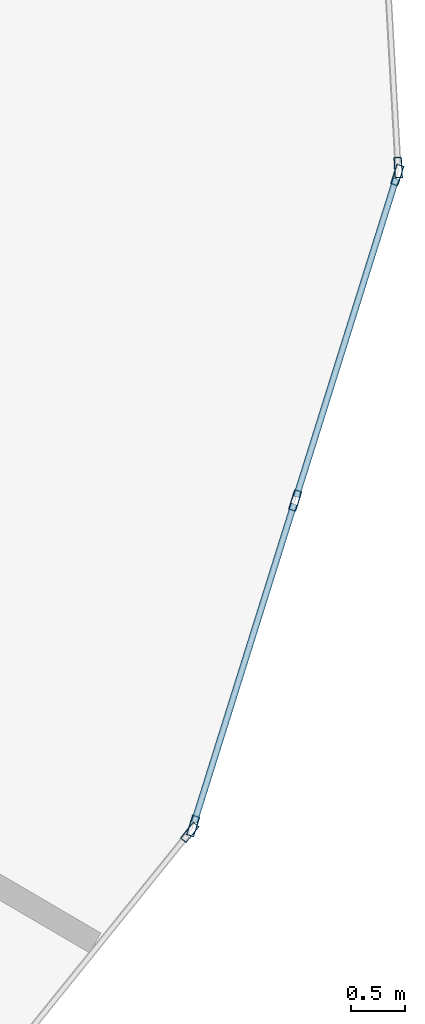
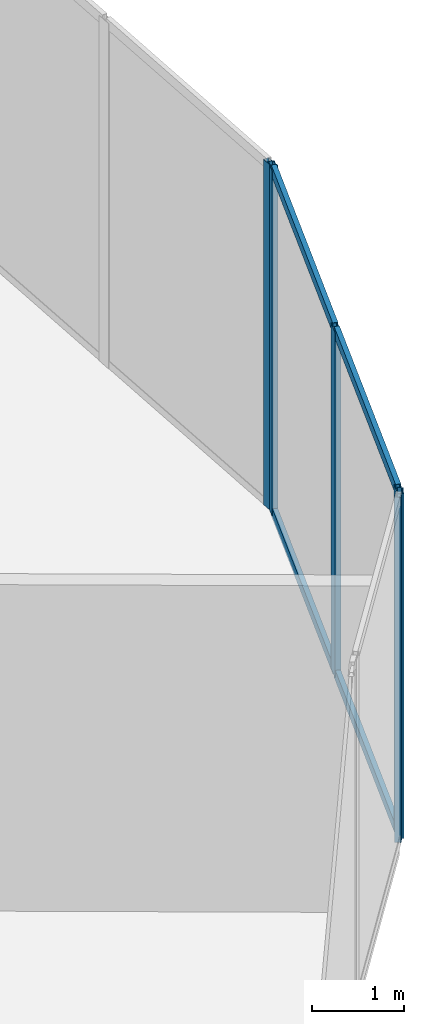
# One storey, part 13 of 28: 9 members, 3 elements without a shape of their own.
"""IFC4 building model written with IfcOpenShell, lengths in metres."""

from ifc_helpers import new_model, si_unit, direction, frame, origin, origin_2d, place, context, subcontext, project, spatial, hollow_rectangle, extrude, source, transform, mapped, material, layer, layer_set, material_profile, profile_set, type_object, element, aggregate, save


model = new_model("IFC4")

# Units and contexts
model_context = context("Model", 3, precision=1e-05, world=origin(), true_north=direction((0.0, 1.0)))
body_context = subcontext(model_context, "Body", "Model", "MODEL_VIEW")
ifc_project = project(units=[si_unit("LENGTHUNIT", "METRE"), si_unit("AREAUNIT", "SQUARE_METRE"), si_unit("VOLUMEUNIT", "CUBIC_METRE"), si_unit("PLANEANGLEUNIT", "RADIAN"), si_unit("MASSUNIT", "GRAM", prefix="KILO")], contexts=[model_context])

# Site, building, storey
site_placement = place(None, origin())
site = spatial("IfcSite", under=ifc_project, at=site_placement, CompositionType="ELEMENT")
building_placement = place(site_placement, origin())
building = spatial("IfcBuilding", under=site, at=building_placement, Name="Solvirekh Grand Hotel", CompositionType="ELEMENT")
storey_placement = place(building_placement, frame((0.0, 0.0, 98.0)))
storey = spatial("IfcBuildingStorey", under=building, at=storey_placement, Name="L24", CompositionType="ELEMENT", Elevation=98.0)

# Curtain wall, members
ifc_material = material(Name="Anodized Bronze Aluminium 6063-T6", Category="aluminium")
ifc_layer = layer(ifc_material, 0.18994140625)
ifc_layer_set = layer_set([ifc_layer], Name="Anodized Bronze Aluminium 6063-T6")
curtain_wall_type = type_object("IfcCurtainWallType", Name="CW_Sys5_SkyLobbyPanoramaCW", PredefinedType="NOTDEFINED", material=ifc_layer_set)
curtain_wall_1_placement = place(storey_placement, origin())
curtain_wall_1 = element("IfcCurtainWall", 1, at=curtain_wall_1_placement, inside=storey, type_object=curtain_wall_type, Name="L24 unitised bronze-glass curtain wall CW-L24-C01", PredefinedType="NOTDEFINED")
ifc_material_profile_1 = material_profile(ifc_material, hollow_rectangle(XDim=0.070068359375, YDim=0.18994140625, WallThickness=0.0048828125, at=origin_2d()), Name="ALU RHS 190X70X5")
ifc_profile_set_1 = profile_set([ifc_material_profile_1], Name="Anodized Bronze Aluminium 6063-T6")
member_type_1 = type_object("IfcMemberType", Name="CWMullion_Sys5", PredefinedType="MULLION", material=ifc_profile_set_1)
shared_shape_1 = source(origin(), body_context, "Body", "SweptSolid", [
    extrude(hollow_rectangle(XDim=0.070068359375, YDim=0.18994140625, WallThickness=0.0048828125, at=origin_2d()), origin(), (0.0, 0.0, 1.0), 4.60009765625),
])
member_1_placement = place(storey_placement, frame((22.54052734375, -11.41064453125, 0.0), z_axis=(0.0, 0.0, 1.0), x_axis=(-0.95416934707, 0.299267200193, 0.0)))
member_1 = element("IfcMember", 2, at=member_1_placement, type_object=member_type_1, Name="U05 mullion 1", PredefinedType="MULLION", context=body_context, shape_type="MappedRepresentation", body=[
    mapped(shared_shape_1, transform((0.0, 0.0, 0.0), x_axis=(1.0, 0.0, 0.0), y_axis=(0.0, 1.0, 0.0), z_axis=(0.0, 0.0, 1.0), scale=1.0)),
])
member_2_placement = place(storey_placement, frame((23.48291015625, -8.405517578125, 0.0), z_axis=(0.0, 0.0, 1.0), x_axis=(-0.95416934707, 0.299267200193, 0.0)))
member_2 = element("IfcMember", 3, at=member_2_placement, type_object=member_type_1, Name="U05 mullion 2", PredefinedType="MULLION", context=body_context, shape_type="MappedRepresentation", body=[
    mapped(shared_shape_1, transform((0.0, 0.0, 0.0), x_axis=(1.0, 0.0, 0.0), y_axis=(0.0, 1.0, 0.0), z_axis=(0.0, 0.0, 1.0), scale=1.0)),
])
member_3_placement = place(storey_placement, frame((24.425537109375, -5.400390625, 0.0), z_axis=(0.0, 0.0, 1.0), x_axis=(-0.95416934707, 0.299267200193, 0.0)))
member_3 = element("IfcMember", 4, at=member_3_placement, type_object=member_type_1, Name="U05 mullion 3", PredefinedType="MULLION", context=body_context, shape_type="MappedRepresentation", body=[
    mapped(shared_shape_1, transform((0.0, 0.0, 0.0), x_axis=(1.0, 0.0, 0.0), y_axis=(0.0, 1.0, 0.0), z_axis=(0.0, 0.0, 1.0), scale=1.0)),
])

# Curtain wall, member
curtain_wall_2_placement = place(storey_placement, origin())
curtain_wall_2 = element("IfcCurtainWall", 5, at=curtain_wall_2_placement, inside=storey, type_object=curtain_wall_type, Name="L24 unitised bronze-glass curtain wall CW-L24-C02", PredefinedType="NOTDEFINED")
member_4_placement = place(storey_placement, frame((24.43408203125, -5.33203125, 0.0), z_axis=(0.0, 0.0, 1.0), x_axis=(-0.998416302601, -0.056257325751, 0.0)))
member_4 = element("IfcMember", 6, at=member_4_placement, type_object=member_type_1, Name="U05 mullion 1", PredefinedType="MULLION", context=body_context, shape_type="MappedRepresentation", body=[
    mapped(shared_shape_1, transform((0.0, 0.0, 0.0), x_axis=(1.0, 0.0, 0.0), y_axis=(0.0, 1.0, 0.0), z_axis=(0.0, 0.0, 1.0), scale=1.0)),
])
aggregate(curtain_wall_2, [member_4])

curtain_wall_3_placement = place(storey_placement, origin())
curtain_wall_3 = element("IfcCurtainWall", 7, at=curtain_wall_3_placement, inside=storey, type_object=curtain_wall_type, Name="L24 unitised bronze-glass curtain wall CW-L24-C20", PredefinedType="NOTDEFINED")
member_5_placement = place(storey_placement, frame((22.508056640625, -11.47119140625, 0.0), z_axis=(0.0, 0.0, 1.0), x_axis=(-0.778227402159, 0.627982571835, 0.0)))
member_5 = element("IfcMember", 8, at=member_5_placement, type_object=member_type_1, Name="U05 mullion 3", PredefinedType="MULLION", context=body_context, shape_type="MappedRepresentation", body=[
    mapped(shared_shape_1, transform((0.0, 0.0, 0.0), x_axis=(1.0, 0.0, 0.0), y_axis=(0.0, 1.0, 0.0), z_axis=(0.0, 0.0, 1.0), scale=1.0)),
])
aggregate(curtain_wall_3, [member_5])

# Member
ifc_material_profile_2 = material_profile(ifc_material, hollow_rectangle(XDim=0.06005859375, YDim=0.135009765625, WallThickness=0.00390625, at=origin_2d()), Name="ALU RHS 135X60X4")
ifc_profile_set_2 = profile_set([ifc_material_profile_2], Name="Anodized Bronze Aluminium 6063-T6")
member_type_2 = type_object("IfcMemberType", Name="CWTransom_Sys5", PredefinedType="USERDEFINED", material=ifc_profile_set_2)
shared_shape_2 = source(origin(), body_context, "Body", "SweptSolid", [
    extrude(hollow_rectangle(XDim=0.06005859375, YDim=0.135009765625, WallThickness=0.00390625, at=origin_2d()), origin(), (0.0, 0.0, 1.0), 3.079345703125),
])
member_6_placement = place(storey_placement, frame((22.551025390625, -11.377197265625, 0.030029296875), z_axis=(0.299218356928, 0.954184664977, 0.0), x_axis=(-0.954184664977, 0.299218356928, 0.0)))
member_6 = element("IfcMember", 9, at=member_6_placement, type_object=member_type_2, Name="U05 transom 1.1", ObjectType="TRANSOM", PredefinedType="USERDEFINED", context=body_context, shape_type="MappedRepresentation", body=[
    mapped(shared_shape_2, transform((0.0, 0.0, 0.0), x_axis=(1.0, 0.0, 0.0), y_axis=(0.0, 1.0, 0.0), z_axis=(0.0, 0.0, 1.0), scale=1.0)),
])

member_7_placement = place(storey_placement, frame((22.551025390625, -11.377197265625, 4.570068359375), z_axis=(0.299218356928, 0.954184664977, 0.0), x_axis=(-0.954184664977, 0.299218356928, 0.0)))
member_7 = element("IfcMember", 10, at=member_7_placement, type_object=member_type_2, Name="U05 transom 1.2", ObjectType="TRANSOM", PredefinedType="USERDEFINED", context=body_context, shape_type="MappedRepresentation", body=[
    mapped(shared_shape_2, transform((0.0, 0.0, 0.0), x_axis=(1.0, 0.0, 0.0), y_axis=(0.0, 1.0, 0.0), z_axis=(0.0, 0.0, 1.0), scale=1.0)),
])

member_8_placement = place(storey_placement, frame((23.493408203125, -8.3720703125, 0.030029296875), z_axis=(0.299290540064, 0.954162026402, 0.0), x_axis=(-0.954162026402, 0.299290540064, 0.0)))
member_8 = element("IfcMember", 11, at=member_8_placement, type_object=member_type_2, Name="U05 transom 2.1", ObjectType="TRANSOM", PredefinedType="USERDEFINED", context=body_context, shape_type="MappedRepresentation", body=[
    mapped(shared_shape_2, transform((0.0, 0.0, 0.0), x_axis=(1.0, 0.0, 0.0), y_axis=(0.0, 1.0, 0.0), z_axis=(0.0, 0.0, 1.0), scale=1.0)),
])

member_9_placement = place(storey_placement, frame((23.493408203125, -8.3720703125, 4.570068359375), z_axis=(0.299290540064, 0.954162026402, 0.0), x_axis=(-0.954162026402, 0.299290540064, 0.0)))
member_9 = element("IfcMember", 12, at=member_9_placement, type_object=member_type_2, Name="U05 transom 2.2", ObjectType="TRANSOM", PredefinedType="USERDEFINED", context=body_context, shape_type="MappedRepresentation", body=[
    mapped(shared_shape_2, transform((0.0, 0.0, 0.0), x_axis=(1.0, 0.0, 0.0), y_axis=(0.0, 1.0, 0.0), z_axis=(0.0, 0.0, 1.0), scale=1.0)),
])

aggregate(curtain_wall_1, [member_1, member_2, member_3, member_6, member_7, member_8, member_9])

save(model, "model.ifc")
